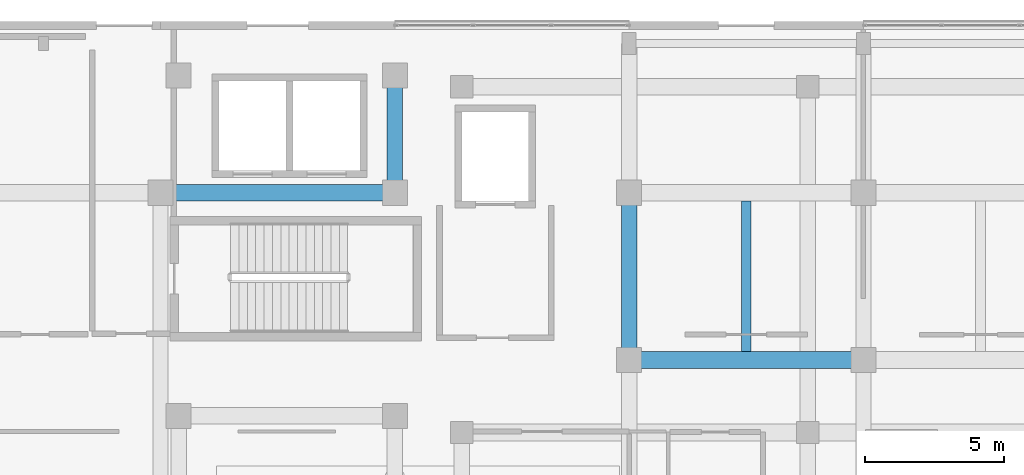
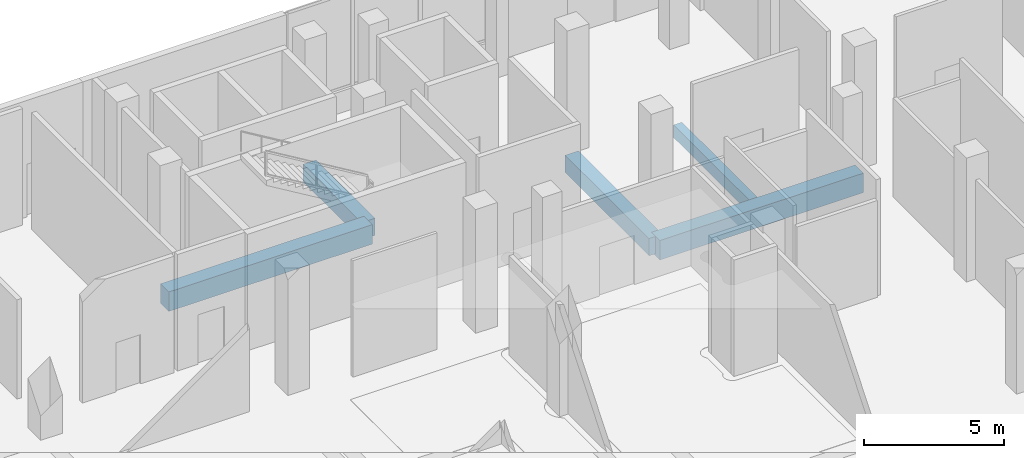
# One storey, part 78 of 158: 5 beams.
"""IFC4 building model written with IfcOpenShell, lengths in metres."""

from ifc_helpers import new_model, si_unit, direction, frame, origin, origin_2d, place, context, subcontext, project, spatial, rectangle, extrude, material, material_profile, profile_set, type_object, element, save


model = new_model("IFC4")

# Units and contexts
model_context = context("Model", 3, precision=1e-05, world=origin(), true_north=direction((0.0, 1.0)))
body_context = subcontext(model_context, "Body", "Model", "MODEL_VIEW")
ifc_project = project(units=[si_unit("LENGTHUNIT", "METRE"), si_unit("AREAUNIT", "SQUARE_METRE"), si_unit("VOLUMEUNIT", "CUBIC_METRE"), si_unit("PLANEANGLEUNIT", "RADIAN"), si_unit("MASSUNIT", "GRAM", prefix="KILO")], contexts=[model_context])

# Site, building, storey
site_placement = place(None, origin())
site = spatial("IfcSite", under=ifc_project, at=site_placement, CompositionType="ELEMENT")
building_placement = place(site_placement, origin())
building = spatial("IfcBuilding", under=site, at=building_placement, Name="Selatvlak General Hospital", CompositionType="ELEMENT")
storey_placement = place(building_placement, origin())
storey = spatial("IfcBuildingStorey", under=building, at=storey_placement, Name="L00", CompositionType="ELEMENT", Elevation=0.0)

# Beams
ifc_material = material(Name="Concrete C40/50", Category="concrete")
ifc_material_profile_1 = material_profile(ifc_material, rectangle(XDim=0.60009765625, YDim=0.85009765625, at=origin_2d()), Name="RC-BM 600x850")
ifc_profile_set_1 = profile_set([ifc_material_profile_1], Name="Concrete C40/50")
beam_type_1 = type_object("IfcBeamType", Name="BM-G01", PredefinedType="BEAM", material=ifc_profile_set_1)
for number, where, z_axis, x_axis, name in (
    (1, (64.800048828125, 108.0, -0.77490234375), (1.0, 0.0, 0.0), (0.0, 1.0, 0.0), "Beam BMR-L00-0122"),
    (2, (48.0, 114.0, -0.77490234375), (1.0, 0.0, 0.0), (0.0, 1.0, 0.0), "Beam BMR-L00-0136"),
):
    element("IfcBeam", number, at=place(storey_placement, frame(where, z_axis=z_axis, x_axis=x_axis)), inside=storey, type_object=beam_type_1, Name=name, PredefinedType="BEAM", context=body_context, shape_type="SweptSolid", body=[
        extrude(rectangle(XDim=0.60009765625, YDim=0.85009765625, at=origin_2d()), origin(), (0.0, 0.0, 1.0), 8.39990234375),
    ])
ifc_material_profile_2 = material_profile(ifc_material, rectangle(XDim=0.550048828125, YDim=0.75, at=origin_2d()), Name="RC-BM 550x750")
ifc_profile_set_2 = profile_set([ifc_material_profile_2], Name="Concrete C40/50")
beam_type_2 = type_object("IfcBeamType", Name="BM-G02", PredefinedType="BEAM", material=ifc_profile_set_2)
beam_1_placement = place(storey_placement, frame((56.39990234375, 114.0, -0.72509765625), z_axis=(0.0, 1.0, 0.0), x_axis=(-1.0, 0.0, 0.0)))
element("IfcBeam", 3, at=beam_1_placement, inside=storey, type_object=beam_type_2, Name="Beam BMR-L00-0195", PredefinedType="BEAM", context=body_context, shape_type="SweptSolid", body=[
    extrude(rectangle(XDim=0.550048828125, YDim=0.75, at=origin_2d()), origin(), (0.0, 0.0, 1.0), 4.199951171875),
])
beam_2_placement = place(storey_placement, frame((64.800048828125, 108.0, -0.72509765625), z_axis=(0.0, 1.0, 0.0), x_axis=(-1.0, 0.0, 0.0)))
element("IfcBeam", 4, at=beam_2_placement, inside=storey, type_object=beam_type_2, Name="Beam BMR-L00-0202", PredefinedType="BEAM", context=body_context, shape_type="SweptSolid", body=[
    extrude(rectangle(XDim=0.550048828125, YDim=0.75, at=origin_2d()), origin(), (0.0, 0.0, 1.0), 6.0),
])
ifc_material_profile_3 = material_profile(ifc_material, rectangle(XDim=0.35009765625, YDim=0.550048828125, at=origin_2d()), Name="RC-BM 350x550")
ifc_profile_set_3 = profile_set([ifc_material_profile_3], Name="Concrete C40/50")
beam_type_3 = type_object("IfcBeamType", Name="BM-J01", PredefinedType="JOIST", material=ifc_profile_set_3)
beam_3_placement = place(storey_placement, frame((69.0, 108.300048828125, -0.625), z_axis=(0.0, 1.0, 0.0), x_axis=(-1.0, 0.0, 0.0)))
element("IfcBeam", 5, at=beam_3_placement, inside=storey, type_object=beam_type_3, Name="Beam BMR-L00-0320", PredefinedType="JOIST", context=body_context, shape_type="SweptSolid", body=[
    extrude(rectangle(XDim=0.35009765625, YDim=0.550048828125, at=origin_2d()), origin(), (0.0, 0.0, 1.0), 5.39990234375),
])

save(model, "model.ifc")
